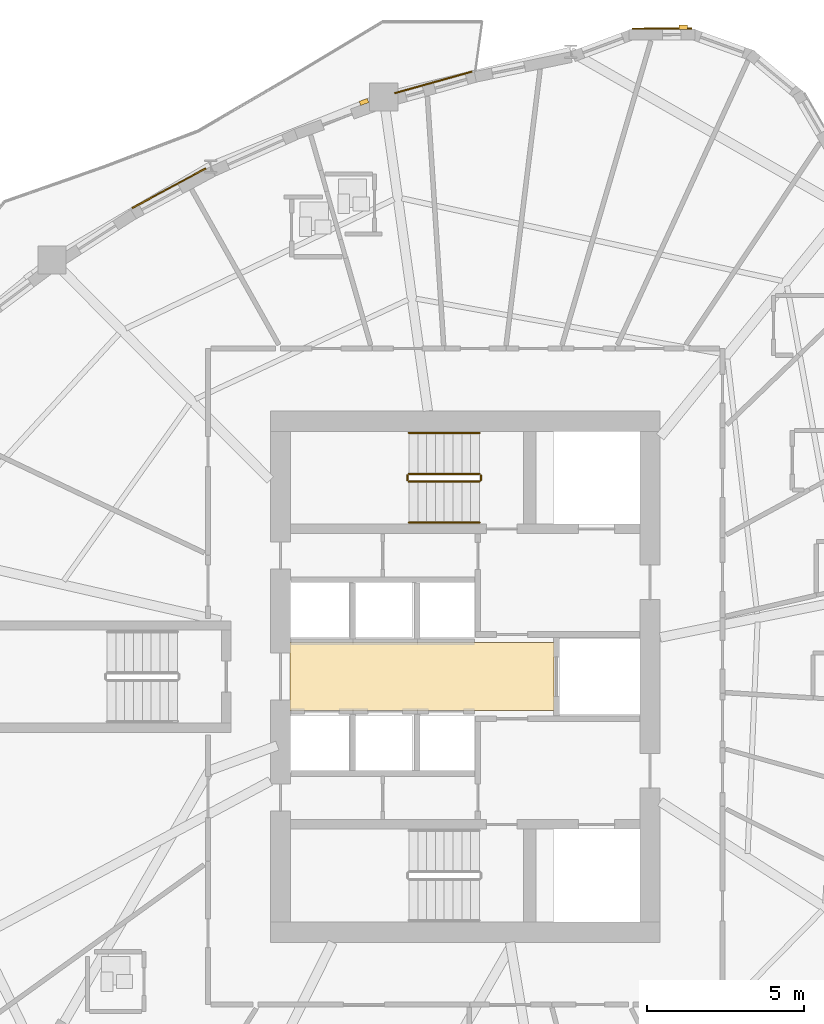
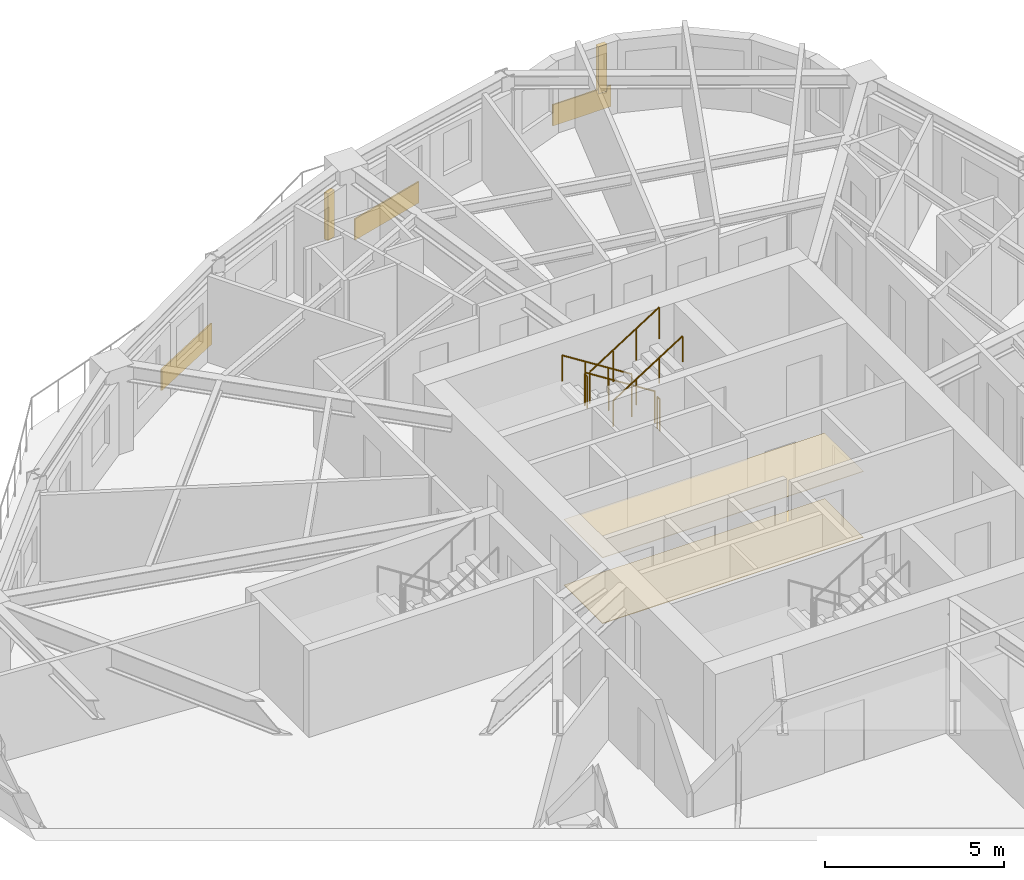
# One storey, part 15 of 17: 6 railings, 5 coverings, 2 shading devices.
"""IFC4 building model written with IfcOpenShell, lengths in metres."""

from ifc_helpers import new_model, si_unit, direction, frame, origin, origin_2d, place, context, subcontext, project, spatial, polyline, rectangle, circle, outline, extrude, source, transform, mapped, material, layer, layer_set, type_object, element, save


model = new_model("IFC4")

# Units and contexts
model_context = context("Model", 3, precision=1e-05, world=origin(), true_north=direction((0.0, 1.0)))
body_context = subcontext(model_context, "Body", "Model", "MODEL_VIEW")
ifc_project = project(units=[si_unit("LENGTHUNIT", "METRE"), si_unit("AREAUNIT", "SQUARE_METRE"), si_unit("VOLUMEUNIT", "CUBIC_METRE"), si_unit("PLANEANGLEUNIT", "RADIAN"), si_unit("MASSUNIT", "GRAM", prefix="KILO")], contexts=[model_context])

# Site, building, storey
site_placement = place(None, origin())
site = spatial("IfcSite", under=ifc_project, at=site_placement, CompositionType="ELEMENT")
building_placement = place(site_placement, origin())
building = spatial("IfcBuilding", under=site, at=building_placement, Name="Qafzar Sky-Pleat Residences", CompositionType="ELEMENT")
storey_placement = place(building_placement, frame((0.0, 0.0, 115.199951171875)))
storey = spatial("IfcBuildingStorey", under=building, at=storey_placement, Name="L34", CompositionType="ELEMENT", Elevation=115.199951171875)

# Coverings
ifc_material_1 = material(Name="Perforated acoustic gypsum board ceiling")
ifc_layer_1 = layer(ifc_material_1, 0.02001953125)
ifc_layer_set_1 = layer_set([ifc_layer_1], Name="Perforated acoustic gypsum board ceiling")
covering_type_1 = type_object("IfcCoveringType", Name="COV-CEIL-ACOUSTIC", PredefinedType="CEILING", material=ifc_layer_set_1)
covering_1_placement = place(storey_placement, frame((0.0, 0.0, 2.239990234375)))
element("IfcCovering", 1, at=covering_1_placement, inside=storey, type_object=covering_type_1, Name="L34 Passenger Lift Lobby Acoustic Ceiling", PredefinedType="CEILING", context=body_context, shape_type="SweptSolid", body=[
    extrude(outline(polyline([(33.179931640625, 24.919921875), (24.77001953125, 24.919921875), (24.77001953125, 27.080078125), (33.179931640625, 27.080078125), (33.179931640625, 24.919921875)])), origin(), (0.0, 0.0, 1.0), 0.02001953125),
])
ifc_material_2 = material(Name="Honed porcelain and Riyadh stone tile flooring", Category="masonry")
ifc_layer_2 = layer(ifc_material_2, 0.02001953125)
ifc_layer_set_2 = layer_set([ifc_layer_2], Name="Honed porcelain and Riyadh stone tile flooring")
covering_type_2 = type_object("IfcCoveringType", Name="COV-FLR-PORCELAIN", PredefinedType="FLOORING", material=ifc_layer_set_2)
covering_2_placement = place(storey_placement, origin())
element("IfcCovering", 2, at=covering_2_placement, inside=storey, type_object=covering_type_2, Name="L34 Passenger Lift Lobby Honed Stone Flooring", PredefinedType="FLOORING", context=body_context, shape_type="SweptSolid", body=[
    extrude(outline(polyline([(33.179931640625, 24.919921875), (24.77001953125, 24.919921875), (24.77001953125, 27.080078125), (33.179931640625, 27.080078125), (33.179931640625, 24.919921875)])), origin(), (0.0, 0.0, 1.0), 0.02001953125),
])

# Shading devices
ifc_material_3 = material(Name="Honed Riyadh limestone solar fin", Category="masonry")
ifc_layer_3 = layer(ifc_material_3, 0.139892578125)
ifc_layer_set_3 = layer_set([ifc_layer_3], Name="Honed Riyadh limestone solar fin")
shading_device_type = type_object("IfcShadingDeviceType", Name="SHD-FIN-STONE", PredefinedType="SHUTTER", material=ifc_layer_set_3)
shared_shape_1 = source(origin(), body_context, "Body", "SweptSolid", [
    extrude(rectangle(XDim=0.139892578125, YDim=0.280029296875, at=origin_2d()), origin(), (0.0, 0.0, 1.0), 1.60009765625),
])
for number, where, z_axis, x_axis, name in (
    (3, (37.282470703125, 46.656005859375, 0.60009765625), (0.0, 0.0, 1.0), (-0.006870821496, 0.999976395627, 0.0), "L34 Limestone Solar Fin 37"),
    (4, (27.129150390625, 44.275146484375, 0.60009765625), (0.0, 0.0, 1.0), (-0.338169484707, 0.941085224415, 0.0), "L34 Limestone Solar Fin 41"),
):
    element("IfcShadingDevice", number, at=place(storey_placement, frame(where, z_axis=z_axis, x_axis=x_axis)), inside=storey, type_object=shading_device_type, Name=name, PredefinedType="SHUTTER", context=body_context, shape_type="MappedRepresentation", body=[
        mapped(shared_shape_1, transform((0.0, 0.0, 0.0), x_axis=(1.0, 0.0, 0.0), y_axis=(0.0, 1.0, 0.0), z_axis=(0.0, 0.0, 1.0), scale=1.0)),
    ])

# Coverings
ifc_material_4 = material(Name="Honed Riyadh Tuwaiq limestone cladding", Category="masonry")
ifc_layer_4 = layer(ifc_material_4, 0.044921875)
ifc_layer_set_4 = layer_set([ifc_layer_4], Name="Honed Riyadh Tuwaiq limestone cladding")
covering_type_3 = type_object("IfcCoveringType", Name="COV-CLAD-STONE", PredefinedType="CLADDING", material=ifc_layer_set_4)
shared_shape_2 = source(origin(), body_context, "Body", "SweptSolid", [
    extrude(rectangle(XDim=1.88916015625, YDim=0.044921875, at=origin_2d()), origin(), (0.0, 0.0, 1.0), 0.719970703125),
])
covering_3_placement = place(storey_placement, frame((36.61083984375, 46.6083984375, 0.02001953125), z_axis=(0.0, 0.0, 1.0), x_axis=(-0.999976140267, -0.006907886628, 0.0)))
element("IfcCovering", 5, at=covering_3_placement, inside=storey, type_object=covering_type_3, Name="L34 Riyadh Limestone Spandrel Cladding 37", PredefinedType="CLADDING", context=body_context, shape_type="MappedRepresentation", body=[
    mapped(shared_shape_2, transform((0.0, 0.0, 0.0), x_axis=(1.0, 0.0, 0.0), y_axis=(0.0, 1.0, 0.0), z_axis=(0.0, 0.0, 1.0), scale=1.0)),
])
shared_shape_3 = source(origin(), body_context, "Body", "SweptSolid", [
    extrude(rectangle(XDim=2.554931640625, YDim=0.044921875, at=origin_2d()), origin(), (0.0, 0.0, 1.0), 0.719970703125),
])
covering_4_placement = place(storey_placement, frame((29.336181640625, 44.89599609375, 0.02001953125), z_axis=(0.0, 0.0, 1.0), x_axis=(-0.963033866317, -0.269380348813, 0.0)))
element("IfcCovering", 6, at=covering_4_placement, inside=storey, type_object=covering_type_3, Name="L34 Riyadh Limestone Spandrel Cladding 40", PredefinedType="CLADDING", context=body_context, shape_type="MappedRepresentation", body=[
    mapped(shared_shape_3, transform((0.0, 0.0, 0.0), x_axis=(1.0, 0.0, 0.0), y_axis=(0.0, 1.0, 0.0), z_axis=(0.0, 0.0, 1.0), scale=1.0)),
])
shared_shape_4 = source(origin(), body_context, "Body", "SweptSolid", [
    extrude(rectangle(XDim=2.654052734375, YDim=0.044921875, at=origin_2d()), origin(), (0.0, 0.0, 1.0), 0.719970703125),
])
covering_5_placement = place(storey_placement, frame((20.9296875, 41.5322265625, 0.02001953125), z_axis=(0.0, 0.0, 1.0), x_axis=(-0.880091901341, -0.474803375298, 0.0)))
element("IfcCovering", 7, at=covering_5_placement, inside=storey, type_object=covering_type_3, Name="L34 Riyadh Limestone Spandrel Cladding 43", PredefinedType="CLADDING", context=body_context, shape_type="MappedRepresentation", body=[
    mapped(shared_shape_4, transform((0.0, 0.0, 0.0), x_axis=(1.0, 0.0, 0.0), y_axis=(0.0, 1.0, 0.0), z_axis=(0.0, 0.0, 1.0), scale=1.0)),
])

# Railings
ifc_material_5 = material(Name="Painted Steel S355 stair guardrail", Category="steel")
railing_type_1 = type_object("IfcRailingType", Name="RAIL-STAIR-GUARD", PredefinedType="GUARDRAIL", material=ifc_material_5)
shared_shape_5 = source(origin(), body_context, "Body", "SweptSolid", [
    extrude(circle(Radius=0.02392578125, at=origin_2d()), frame((0.0, 0.0, 1.076171875), z_axis=(0.0, -1.0, 0.0), x_axis=(1.0, 0.0, 0.0)), (0.0, 0.0, 1.0), 0.14990234375),
    extrude(circle(Radius=0.02099609375, at=origin_2d()), origin(), (0.0, 0.0, 1.0), 1.052001953125),
    extrude(circle(Radius=0.02099609375, at=origin_2d()), frame((0.0, -0.14990234375, 0.0)), (0.0, 0.0, 1.0), 1.052001953125),
])
for number, where, name in (
    (8, (28.510009765625, 32.39990234375, 1.60009765625), "L34 ST2 stair guard 2"),
    (9, (30.85009765625, 32.39990234375, 0.0), "L34 ST2 stair guard 4"),
):
    element("IfcRailing", number, at=place(storey_placement, frame(where)), inside=storey, type_object=railing_type_1, Name=name, PredefinedType="GUARDRAIL", context=body_context, shape_type="MappedRepresentation", body=[
        mapped(shared_shape_5, transform((0.0, 0.0, 0.0), x_axis=(1.0, 0.0, 0.0), y_axis=(0.0, 1.0, 0.0), z_axis=(0.0, 0.0, 1.0), scale=1.0)),
    ])
shared_shape_6 = source(origin(), body_context, "Body", "SweptSolid", [
    extrude(circle(Radius=0.02392578125, at=origin_2d()), frame((0.0, 0.0, 1.076171875), z_axis=(0.8442293374, 0.0, 0.53598211339), x_axis=(0.0, 1.0, 0.0)), (0.0, 0.0, 1.0), 2.6533203125),
    extrude(circle(Radius=0.02099609375, at=origin_2d()), origin(), (0.0, 0.0, 1.0), 1.052001953125),
    extrude(circle(Radius=0.02099609375, at=origin_2d()), frame((0.74658203125, 0.0, 0.47412109375)), (0.0, 0.0, 1.0), 1.052001953125),
    extrude(circle(Radius=0.02099609375, at=origin_2d()), frame((1.493408203125, 0.0, 0.947998046875)), (0.0, 0.0, 1.0), 1.052001953125),
    extrude(circle(Radius=0.02099609375, at=origin_2d()), frame((2.239990234375, 0.0, 1.422119140625)), (0.0, 0.0, 1.0), 1.052001953125),
])
railing_1_placement = place(storey_placement, frame((28.56005859375, 32.199951171875, 1.77783203125)))
element("IfcRailing", 10, at=railing_1_placement, inside=storey, type_object=railing_type_1, Name="L34 ST2 stair guard 3", PredefinedType="GUARDRAIL", context=body_context, shape_type="MappedRepresentation", body=[
    mapped(shared_shape_6, transform((0.0, 0.0, 0.0), x_axis=(1.0, 0.0, 0.0), y_axis=(0.0, 1.0, 0.0), z_axis=(0.0, 0.0, 1.0), scale=1.0)),
])
ifc_material_6 = material(Name="Brushed stainless steel handrail", Category="steel")
railing_type_2 = type_object("IfcRailingType", Name="RAIL-STAIR-HAND", PredefinedType="HANDRAIL", material=ifc_material_6)
shared_shape_7 = source(origin(), body_context, "Body", "SweptSolid", [
    extrude(circle(Radius=0.02392578125, at=origin_2d()), frame((0.0, 0.0, 0.8759765625), z_axis=(0.8442293374, 0.0, 0.53598211339), x_axis=(0.0, 1.0, 0.0)), (0.0, 0.0, 1.0), 2.6533203125),
    extrude(circle(Radius=0.02099609375, at=origin_2d()), origin(), (0.0, 0.0, 1.0), 0.851806640625),
    extrude(circle(Radius=0.02099609375, at=origin_2d()), frame((0.74658203125, 0.0, 0.47412109375)), (0.0, 0.0, 1.0), 0.851806640625),
    extrude(circle(Radius=0.02099609375, at=origin_2d()), frame((1.493408203125, 0.0, 0.947998046875)), (0.0, 0.0, 1.0), 0.851806640625),
    extrude(circle(Radius=0.02099609375, at=origin_2d()), frame((2.239990234375, 0.0, 1.422119140625)), (0.0, 0.0, 1.0), 0.851806640625),
])
railing_2_placement = place(storey_placement, frame((28.56005859375, 30.89990234375, 1.77783203125)))
element("IfcRailing", 11, at=railing_2_placement, inside=storey, type_object=railing_type_2, Name="L34 ST2 stair handrail 2", PredefinedType="HANDRAIL", context=body_context, shape_type="MappedRepresentation", body=[
    mapped(shared_shape_7, transform((0.0, 0.0, 0.0), x_axis=(1.0, 0.0, 0.0), y_axis=(0.0, 1.0, 0.0), z_axis=(0.0, 0.0, 1.0), scale=1.0)),
])
shared_shape_8 = source(origin(), body_context, "Body", "SweptSolid", [
    extrude(circle(Radius=0.02392578125, at=origin_2d()), frame((0.0, 0.0, 1.076171875), z_axis=(-0.84418770128, 0.0, 0.536047689118), x_axis=(0.0, -1.0, 0.0)), (0.0, 0.0, 1.0), 2.6533203125),
    extrude(circle(Radius=0.02099609375, at=origin_2d()), origin(), (0.0, 0.0, 1.0), 1.052001953125),
    extrude(circle(Radius=0.02099609375, at=origin_2d()), frame((-0.74658203125, 0.0, 0.47412109375)), (0.0, 0.0, 1.0), 1.052001953125),
    extrude(circle(Radius=0.02099609375, at=origin_2d()), frame((-1.493408203125, 0.0, 0.9482421875)), (0.0, 0.0, 1.0), 1.052001953125),
    extrude(circle(Radius=0.02099609375, at=origin_2d()), frame((-2.239990234375, 0.0, 1.42236328125)), (0.0, 0.0, 1.0), 1.052001953125),
])
railing_3_placement = place(storey_placement, frame((30.800048828125, 32.449951171875, 0.177734375)))
element("IfcRailing", 12, at=railing_3_placement, inside=storey, type_object=railing_type_1, Name="L34 ST2 stair guard 1", PredefinedType="GUARDRAIL", context=body_context, shape_type="MappedRepresentation", body=[
    mapped(shared_shape_8, transform((0.0, 0.0, 0.0), x_axis=(1.0, 0.0, 0.0), y_axis=(0.0, 1.0, 0.0), z_axis=(0.0, 0.0, 1.0), scale=1.0)),
])
shared_shape_9 = source(origin(), body_context, "Body", "SweptSolid", [
    extrude(circle(Radius=0.02392578125, at=origin_2d()), frame((0.0, 0.0, 0.8759765625), z_axis=(-0.84418770128, 0.0, 0.536047689118), x_axis=(0.0, -1.0, 0.0)), (0.0, 0.0, 1.0), 2.6533203125),
    extrude(circle(Radius=0.02099609375, at=origin_2d()), origin(), (0.0, 0.0, 1.0), 0.851806640625),
    extrude(circle(Radius=0.02099609375, at=origin_2d()), frame((-0.74658203125, 0.0, 0.47412109375)), (0.0, 0.0, 1.0), 0.851806640625),
    extrude(circle(Radius=0.02099609375, at=origin_2d()), frame((-1.493408203125, 0.0, 0.9482421875)), (0.0, 0.0, 1.0), 0.851806640625),
    extrude(circle(Radius=0.02099609375, at=origin_2d()), frame((-2.239990234375, 0.0, 1.42236328125)), (0.0, 0.0, 1.0), 0.851806640625),
])
railing_4_placement = place(storey_placement, frame((30.800048828125, 33.75, 0.177734375)))
element("IfcRailing", 13, at=railing_4_placement, inside=storey, type_object=railing_type_2, Name="L34 ST2 stair handrail 1", PredefinedType="HANDRAIL", context=body_context, shape_type="MappedRepresentation", body=[
    mapped(shared_shape_9, transform((0.0, 0.0, 0.0), x_axis=(1.0, 0.0, 0.0), y_axis=(0.0, 1.0, 0.0), z_axis=(0.0, 0.0, 1.0), scale=1.0)),
])

save(model, "model.ifc")
